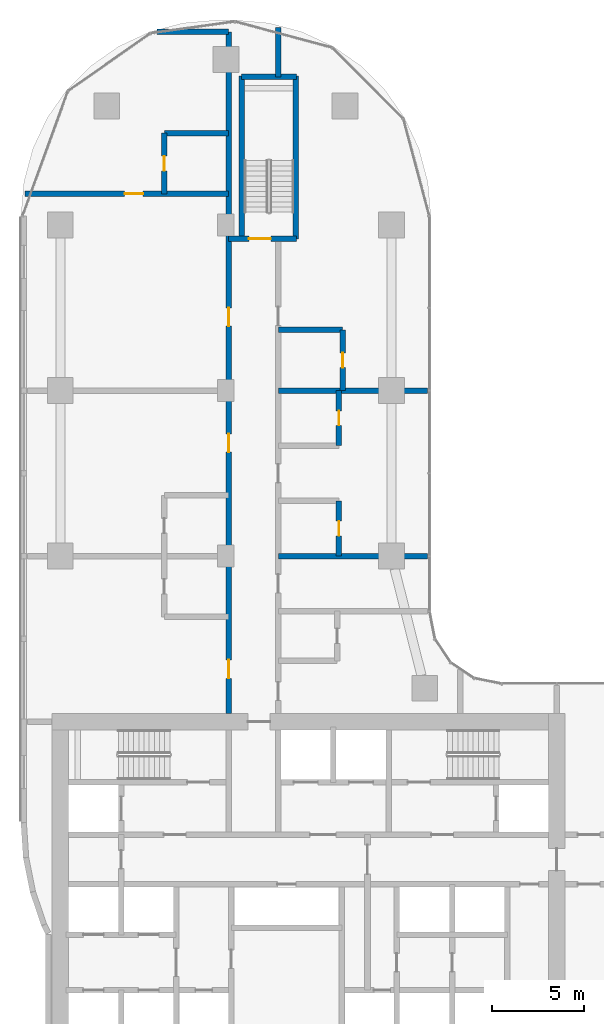
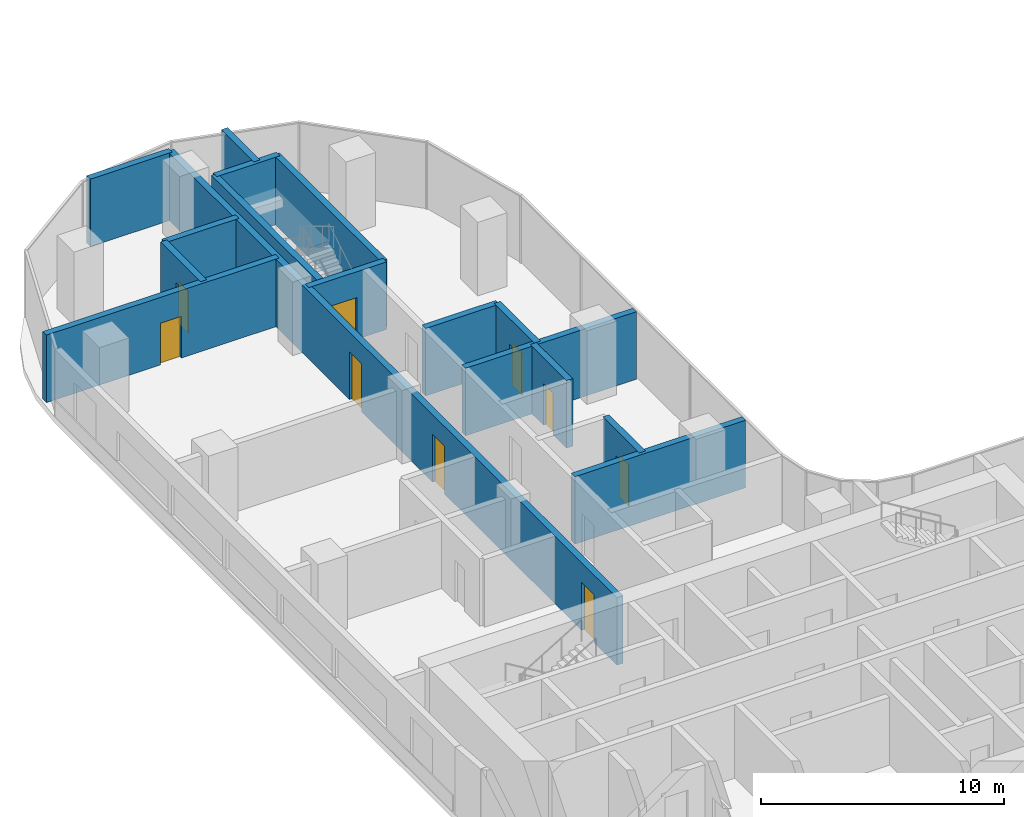
# One storey, part 20 of 32: 16 walls, 9 doors, 9 openings.
"""IFC4 building model written with IfcOpenShell, lengths in metres."""

from ifc_helpers import new_model, si_unit, direction, frame, frame_2d, origin, place, context, subcontext, project, spatial, rectangle, extrude, material, layer, layer_set, type_object, element, fill, save


model = new_model("IFC4")

# Units and contexts
model_context = context("Model", 3, precision=1e-05, world=origin(), true_north=direction((0.0, 1.0)))
body_context = subcontext(model_context, "Body", "Model", "MODEL_VIEW")
ifc_project = project(units=[si_unit("LENGTHUNIT", "METRE"), si_unit("AREAUNIT", "SQUARE_METRE"), si_unit("VOLUMEUNIT", "CUBIC_METRE"), si_unit("PLANEANGLEUNIT", "RADIAN"), si_unit("MASSUNIT", "GRAM", prefix="KILO")], contexts=[model_context])

# Site, building, storey
site_placement = place(None, origin())
site = spatial("IfcSite", under=ifc_project, at=site_placement, CompositionType="ELEMENT")
building_placement = place(site_placement, origin())
building = spatial("IfcBuilding", under=site, at=building_placement, Name="Ogive Portal Towers", CompositionType="ELEMENT")
storey_placement = place(building_placement, frame((0.0, 0.0, 59.39990234375)))
storey = spatial("IfcBuildingStorey", under=building, at=storey_placement, Name="L13", CompositionType="ELEMENT", Elevation=59.39990234375)

# Wall, opening, door
ifc_material_1 = material(Name="Concrete C50/60", Category="concrete")
ifc_layer_1 = layer(ifc_material_1, 0.300048828125)
ifc_layer_set_1 = layer_set([ifc_layer_1], Name="STAIR WALL 300 C50")
wall_type_1 = type_object("IfcWallType", Name="STAIR WALL 300 C50", PredefinedType="SHEAR", material=ifc_layer_set_1)
wall_1_placement = place(storey_placement, frame((40.64990234375, 65.75, 0.0), z_axis=(0.0, 0.0, 1.0), x_axis=(1.0, 0.0, 0.0)))
wall_1 = element("IfcWall", 1, at=wall_1_placement, inside=storey, type_object=wall_type_1, Name="Stair wall ST-A3 L13", PredefinedType="SHEAR", context=body_context, shape_type="SweptSolid", body=[
    extrude(rectangle(XDim=3.7001953125, YDim=0.300048828125, at=frame_2d((1.85009765625, 0.0))), origin(), (0.0, 0.0, 1.0), 3.400146484375),
])
opening_1_placement = place(wall_1_placement, frame((1.10009765625, 0.0, 0.0)))
opening_1 = element("IfcOpeningElement", 2, at=opening_1_placement, cuts=wall_1, Name="Opening D03-062", PredefinedType="OPENING", context=body_context, shape_type="SweptSolid", body=[
    extrude(rectangle(XDim=1.199951171875, YDim=2.10009765625, at=frame_2d((0.60009765625, 1.050048828125))), frame((0.0, 0.16015625, 0.0), z_axis=(0.0, -1.0, 0.0), x_axis=(1.0, 0.0, 0.0)), (0.0, 0.0, 1.0), 0.320068359375),
])
ifc_material_2 = material(Name="Steel fire door", Category="steel")
door_type_1 = type_object("IfcDoorType", Name="DT-STAIR-1200x2100-FD90S", OperationType="SINGLE_SWING_LEFT", PredefinedType="DOOR", material=ifc_material_2)
door_1_placement = place(opening_1_placement, origin())
door_1 = element("IfcDoor", 3, at=door_1_placement, inside=storey, type_object=door_type_1, Name="Door D03-062", OperationType="SINGLE_SWING_RIGHT", OverallHeight=2.10009765625, OverallWidth=1.199951171875, PredefinedType="DOOR", context=body_context, shape_type="SweptSolid", body=[
    extrude(rectangle(XDim=1.199951171875, YDim=2.10009765625, at=frame_2d((0.60009765625, 1.050048828125))), frame((0.0, 0.02490234375, 0.0), z_axis=(0.0, -1.0, 0.0), x_axis=(1.0, 0.0, 0.0)), (0.0, 0.0, 1.0), 0.050048828125),
])
fill(opening_1, door_1)

# Walls
wall_2_placement = place(storey_placement, frame((41.35009765625, 74.550048828125, 0.0), z_axis=(0.0, 0.0, 1.0), x_axis=(1.0, 0.0, 0.0)))
element("IfcWall", 4, at=wall_2_placement, inside=storey, type_object=wall_type_1, Name="Stair wall ST-A3 L13", PredefinedType="SHEAR", context=body_context, shape_type="SweptSolid", body=[
    extrude(rectangle(XDim=3.0, YDim=0.300048828125, at=frame_2d((1.5, 0.0))), origin(), (0.0, 0.0, 1.0), 3.400146484375),
])
for number, where, z_axis, x_axis, name in (
    (5, (41.35009765625, 65.75, 0.0), (0.0, 0.0, 1.0), (0.0, 1.0, 0.0), "Stair wall ST-A3 L13"),
    (6, (44.300048828125, 65.75, 0.0), (0.0, 0.0, 1.0), (0.0, 1.0, 0.0), "Stair wall ST-A3 L13"),
):
    element("IfcWall", number, at=place(storey_placement, frame(where, z_axis=z_axis, x_axis=x_axis)), inside=storey, type_object=wall_type_1, Name=name, PredefinedType="SHEAR", context=body_context, shape_type="SweptSolid", body=[
        extrude(rectangle(XDim=8.85009765625, YDim=0.300048828125, at=frame_2d((4.425048828125, 0.0))), origin(), (0.0, 0.0, 1.0), 3.400146484375),
    ])
ifc_material_3 = material(Name="Gypsum board partition on steel studs", Category="steel")
ifc_layer_2 = layer(ifc_material_3, 0.300048828125)
ifc_layer_set_2 = layer_set([ifc_layer_2], Name="WT-PART-300-EI 60")
wall_type_2 = type_object("IfcWallType", Name="WT-PART-300-EI 60", PredefinedType="PARTITIONING", material=ifc_layer_set_2)
for number, where, z_axis, x_axis, name in (
    (7, (43.35009765625, 48.5, 0.0), (0.0, 0.0, 1.0), (1.0, 0.0, 0.0), "Wall L13:w019"),
    (8, (43.35009765625, 57.5, 0.0), (0.0, 0.0, 1.0), (1.0, 0.0, 0.0), "Wall L13:w024"),
):
    element("IfcWall", number, at=place(storey_placement, frame(where, z_axis=z_axis, x_axis=x_axis)), inside=storey, type_object=wall_type_2, Name=name, PredefinedType="PARTITIONING", context=body_context, shape_type="SweptSolid", body=[
        extrude(rectangle(XDim=8.125, YDim=0.300048828125, at=frame_2d((4.0625, 0.0))), origin(), (0.0, 0.0, 1.0), 3.400146484375),
    ])
wall_3_placement = place(storey_placement, frame((43.35009765625, 60.800048828125, 0.0), z_axis=(0.0, 0.0, 1.0), x_axis=(1.0, 0.0, 0.0)))
element("IfcWall", 9, at=wall_3_placement, inside=storey, type_object=wall_type_2, Name="Wall L13:w025", PredefinedType="PARTITIONING", context=body_context, shape_type="SweptSolid", body=[
    extrude(rectangle(XDim=3.5, YDim=0.300048828125, at=frame_2d((1.75, 0.0))), origin(), (0.0, 0.0, 1.0), 3.400146484375),
])

# Wall, opening, door
wall_4_placement = place(storey_placement, frame((29.570068359375, 68.199951171875, 0.0), z_axis=(0.0, 0.0, 1.0), x_axis=(1.0, 0.0, 0.0)))
wall_4 = element("IfcWall", 10, at=wall_4_placement, inside=storey, type_object=wall_type_2, Name="Wall L13:w027", PredefinedType="PARTITIONING", context=body_context, shape_type="SweptSolid", body=[
    extrude(rectangle(XDim=11.079833984375, YDim=0.300048828125, at=frame_2d((5.5400390625, 0.0))), origin(), (0.0, 0.0, 1.0), 3.400146484375),
])
opening_2_placement = place(wall_4_placement, frame((5.429931640625, 0.0, 0.0)))
opening_2 = element("IfcOpeningElement", 11, at=opening_2_placement, cuts=wall_4, Name="Opening D03-056", PredefinedType="OPENING", context=body_context, shape_type="SweptSolid", body=[
    extrude(rectangle(XDim=1.0, YDim=2.10009765625, at=frame_2d((0.5, 1.050048828125))), frame((0.0, 0.16015625, 0.0), z_axis=(0.0, -1.0, 0.0), x_axis=(1.0, 0.0, 0.0)), (0.0, 0.0, 1.0), 0.320068359375),
])
door_type_2 = type_object("IfcDoorType", Name="DT-ENTRY-1000x2100-FD60S", OperationType="SINGLE_SWING_LEFT", PredefinedType="DOOR", material=ifc_material_2)
door_2_placement = place(opening_2_placement, origin())
door_2 = element("IfcDoor", 12, at=door_2_placement, inside=storey, type_object=door_type_2, Name="Door D03-056", OperationType="SINGLE_SWING_LEFT", OverallHeight=2.10009765625, OverallWidth=1.0, PredefinedType="DOOR", context=body_context, shape_type="SweptSolid", body=[
    extrude(rectangle(XDim=1.0, YDim=2.10009765625, at=frame_2d((0.5, 1.050048828125))), frame((0.0, 0.02490234375, 0.0), z_axis=(0.0, -1.0, 0.0), x_axis=(1.0, 0.0, 0.0)), (0.0, 0.0, 1.0), 0.050048828125),
])
fill(opening_2, door_2)

# Walls
wall_5_placement = place(storey_placement, frame((37.14990234375, 71.5, 0.0), z_axis=(0.0, 0.0, 1.0), x_axis=(1.0, 0.0, 0.0)))
element("IfcWall", 13, at=wall_5_placement, inside=storey, type_object=wall_type_2, Name="Wall L13:w028", PredefinedType="PARTITIONING", context=body_context, shape_type="SweptSolid", body=[
    extrude(rectangle(XDim=3.5, YDim=0.300048828125, at=frame_2d((1.75, 0.0))), origin(), (0.0, 0.0, 1.0), 3.400146484375),
])
wall_6_placement = place(storey_placement, frame((36.743896484375, 77.0, 0.0), z_axis=(0.0, 0.0, 1.0), x_axis=(1.0, 0.0, 0.0)))
element("IfcWall", 14, at=wall_6_placement, inside=storey, type_object=wall_type_2, Name="Wall L13:w030", PredefinedType="PARTITIONING", context=body_context, shape_type="SweptSolid", body=[
    extrude(rectangle(XDim=3.906005859375, YDim=0.300048828125, at=frame_2d((1.953125, 0.0))), origin(), (0.0, 0.0, 1.0), 3.400146484375),
])

# Wall, opening, door
wall_7_placement = place(storey_placement, frame((37.14990234375, 68.199951171875, 0.0), z_axis=(0.0, 0.0, 1.0), x_axis=(0.0, 1.0, 0.0)))
wall_7 = element("IfcWall", 15, at=wall_7_placement, inside=storey, type_object=wall_type_2, Name="Wall L13:w032", PredefinedType="PARTITIONING", context=body_context, shape_type="SweptSolid", body=[
    extrude(rectangle(XDim=3.300048828125, YDim=0.300048828125, at=frame_2d((1.64990234375, 0.0))), origin(), (0.0, 0.0, 1.0), 3.400146484375),
])
opening_3_placement = place(wall_7_placement, frame((1.25, 0.0, 0.0)))
opening_3 = element("IfcOpeningElement", 16, at=opening_3_placement, cuts=wall_7, Name="Opening D03-057", PredefinedType="OPENING", context=body_context, shape_type="SweptSolid", body=[
    extrude(rectangle(XDim=0.800048828125, YDim=2.10009765625, at=frame_2d((0.39990234375, 1.050048828125))), frame((0.0, 0.16015625, 0.0), z_axis=(0.0, -1.0, 0.0), x_axis=(1.0, 0.0, 0.0)), (0.0, 0.0, 1.0), 0.320068359375),
])
door_type_3 = type_object("IfcDoorType", Name="DT-BATH-800x2100-FD60S", OperationType="SINGLE_SWING_LEFT", PredefinedType="DOOR", material=ifc_material_2)
door_3_placement = place(opening_3_placement, origin())
door_3 = element("IfcDoor", 17, at=door_3_placement, inside=storey, type_object=door_type_3, Name="Door D03-057", OperationType="SINGLE_SWING_LEFT", OverallHeight=2.10009765625, OverallWidth=0.800048828125, PredefinedType="DOOR", context=body_context, shape_type="SweptSolid", body=[
    extrude(rectangle(XDim=0.800048828125, YDim=2.10009765625, at=frame_2d((0.39990234375, 1.050048828125))), frame((0.0, 0.02490234375, 0.0), z_axis=(0.0, -1.0, 0.0), x_axis=(1.0, 0.0, 0.0)), (0.0, 0.0, 1.0), 0.050048828125),
])
fill(opening_3, door_3)

# Wall, openings, doors
wall_8_placement = place(storey_placement, frame((40.64990234375, 39.949951171875, 0.0), z_axis=(0.0, 0.0, 1.0), x_axis=(0.0, 1.0, 0.0)))
wall_8 = element("IfcWall", 18, at=wall_8_placement, inside=storey, type_object=wall_type_2, Name="Wall L13:w033", PredefinedType="PARTITIONING", context=body_context, shape_type="SweptSolid", body=[
    extrude(rectangle(XDim=37.050048828125, YDim=0.300048828125, at=frame_2d((18.52490234375, 0.0))), origin(), (0.0, 0.0, 1.0), 3.400146484375),
])
opening_4_placement = place(wall_8_placement, frame((1.89990234375, 0.0, 0.0)))
opening_4 = element("IfcOpeningElement", 19, at=opening_4_placement, cuts=wall_8, Name="Opening D03-047", PredefinedType="OPENING", context=body_context, shape_type="SweptSolid", body=[
    extrude(rectangle(XDim=1.0, YDim=2.39990234375, at=frame_2d((0.5, 1.199951171875))), frame((0.0, 0.16015625, 0.0), z_axis=(0.0, -1.0, 0.0), x_axis=(1.0, 0.0, 0.0)), (0.0, 0.0, 1.0), 0.320068359375),
])
opening_5_placement = place(wall_8_placement, frame((14.199951171875, 0.0, 0.0)))
opening_5 = element("IfcOpeningElement", 20, at=opening_5_placement, cuts=wall_8, Name="Opening D03-052", PredefinedType="OPENING", context=body_context, shape_type="SweptSolid", body=[
    extrude(rectangle(XDim=1.0, YDim=2.39990234375, at=frame_2d((0.5, 1.199951171875))), frame((0.0, 0.16015625, 0.0), z_axis=(0.0, -1.0, 0.0), x_axis=(1.0, 0.0, 0.0)), (0.0, 0.0, 1.0), 0.320068359375),
])
opening_6_placement = place(wall_8_placement, frame((21.050048828125, 0.0, 0.0)))
opening_6 = element("IfcOpeningElement", 21, at=opening_6_placement, cuts=wall_8, Name="Opening D03-055", PredefinedType="OPENING", context=body_context, shape_type="SweptSolid", body=[
    extrude(rectangle(XDim=1.0, YDim=2.39990234375, at=frame_2d((0.5, 1.199951171875))), frame((0.0, 0.16015625, 0.0), z_axis=(0.0, -1.0, 0.0), x_axis=(1.0, 0.0, 0.0)), (0.0, 0.0, 1.0), 0.320068359375),
])
door_type_4 = type_object("IfcDoorType", Name="DT-ENTRY-1000x2400-FD60S", OperationType="SINGLE_SWING_LEFT", PredefinedType="DOOR", material=ifc_material_2)
door_4_placement = place(opening_4_placement, origin())
door_4 = element("IfcDoor", 22, at=door_4_placement, inside=storey, type_object=door_type_4, Name="Door D03-047", OperationType="SINGLE_SWING_RIGHT", OverallHeight=2.39990234375, OverallWidth=1.0, PredefinedType="DOOR", context=body_context, shape_type="SweptSolid", body=[
    extrude(rectangle(XDim=1.0, YDim=2.39990234375, at=frame_2d((0.5, 1.199951171875))), frame((0.0, 0.02490234375, 0.0), z_axis=(0.0, -1.0, 0.0), x_axis=(1.0, 0.0, 0.0)), (0.0, 0.0, 1.0), 0.050048828125),
])
fill(opening_4, door_4)
door_5_placement = place(opening_5_placement, origin())
door_5 = element("IfcDoor", 23, at=door_5_placement, inside=storey, type_object=door_type_4, Name="Door D03-052", OperationType="SINGLE_SWING_LEFT", OverallHeight=2.39990234375, OverallWidth=1.0, PredefinedType="DOOR", context=body_context, shape_type="SweptSolid", body=[
    extrude(rectangle(XDim=1.0, YDim=2.39990234375, at=frame_2d((0.5, 1.199951171875))), frame((0.0, 0.02490234375, 0.0), z_axis=(0.0, -1.0, 0.0), x_axis=(1.0, 0.0, 0.0)), (0.0, 0.0, 1.0), 0.050048828125),
])
fill(opening_5, door_5)
door_6_placement = place(opening_6_placement, origin())
door_6 = element("IfcDoor", 24, at=door_6_placement, inside=storey, type_object=door_type_4, Name="Door D03-055", OperationType="SINGLE_SWING_RIGHT", OverallHeight=2.39990234375, OverallWidth=1.0, PredefinedType="DOOR", context=body_context, shape_type="SweptSolid", body=[
    extrude(rectangle(XDim=1.0, YDim=2.39990234375, at=frame_2d((0.5, 1.199951171875))), frame((0.0, 0.02490234375, 0.0), z_axis=(0.0, -1.0, 0.0), x_axis=(1.0, 0.0, 0.0)), (0.0, 0.0, 1.0), 0.050048828125),
])
fill(opening_6, door_6)

# Wall, opening, door
wall_9_placement = place(storey_placement, frame((46.64990234375, 48.5, 0.0), z_axis=(0.0, 0.0, 1.0), x_axis=(0.0, 1.0, 0.0)))
wall_9 = element("IfcWall", 25, at=wall_9_placement, inside=storey, type_object=wall_type_2, Name="Wall L13:w039", PredefinedType="PARTITIONING", context=body_context, shape_type="SweptSolid", body=[
    extrude(rectangle(XDim=3.0, YDim=0.300048828125, at=frame_2d((1.5, 0.0))), origin(), (0.0, 0.0, 1.0), 3.400146484375),
])
opening_7_placement = place(wall_9_placement, frame((1.10009765625, 0.0, 0.0)))
opening_7 = element("IfcOpeningElement", 26, at=opening_7_placement, cuts=wall_9, Name="Opening D03-048", PredefinedType="OPENING", context=body_context, shape_type="SweptSolid", body=[
    extrude(rectangle(XDim=0.800048828125, YDim=2.10009765625, at=frame_2d((0.39990234375, 1.050048828125))), frame((0.0, 0.16015625, 0.0), z_axis=(0.0, -1.0, 0.0), x_axis=(1.0, 0.0, 0.0)), (0.0, 0.0, 1.0), 0.320068359375),
])
door_7_placement = place(opening_7_placement, origin())
door_7 = element("IfcDoor", 27, at=door_7_placement, inside=storey, type_object=door_type_3, Name="Door D03-048", OperationType="SINGLE_SWING_RIGHT", OverallHeight=2.10009765625, OverallWidth=0.800048828125, PredefinedType="DOOR", context=body_context, shape_type="SweptSolid", body=[
    extrude(rectangle(XDim=0.800048828125, YDim=2.10009765625, at=frame_2d((0.39990234375, 1.050048828125))), frame((0.0, 0.02490234375, 0.0), z_axis=(0.0, -1.0, 0.0), x_axis=(1.0, 0.0, 0.0)), (0.0, 0.0, 1.0), 0.050048828125),
])
fill(opening_7, door_7)

wall_10_placement = place(storey_placement, frame((46.64990234375, 54.5, 0.0), z_axis=(0.0, 0.0, 1.0), x_axis=(0.0, 1.0, 0.0)))
wall_10 = element("IfcWall", 28, at=wall_10_placement, inside=storey, type_object=wall_type_2, Name="Wall L13:w040", PredefinedType="PARTITIONING", context=body_context, shape_type="SweptSolid", body=[
    extrude(rectangle(XDim=3.0, YDim=0.300048828125, at=frame_2d((1.5, 0.0))), origin(), (0.0, 0.0, 1.0), 3.400146484375),
])
opening_8_placement = place(wall_10_placement, frame((1.10009765625, 0.0, 0.0)))
opening_8 = element("IfcOpeningElement", 29, at=opening_8_placement, cuts=wall_10, Name="Opening D03-049", PredefinedType="OPENING", context=body_context, shape_type="SweptSolid", body=[
    extrude(rectangle(XDim=0.800048828125, YDim=2.10009765625, at=frame_2d((0.39990234375, 1.050048828125))), frame((0.0, 0.16015625, 0.0), z_axis=(0.0, -1.0, 0.0), x_axis=(1.0, 0.0, 0.0)), (0.0, 0.0, 1.0), 0.320068359375),
])
door_8_placement = place(opening_8_placement, origin())
door_8 = element("IfcDoor", 30, at=door_8_placement, inside=storey, type_object=door_type_3, Name="Door D03-049", OperationType="SINGLE_SWING_LEFT", OverallHeight=2.10009765625, OverallWidth=0.800048828125, PredefinedType="DOOR", context=body_context, shape_type="SweptSolid", body=[
    extrude(rectangle(XDim=0.800048828125, YDim=2.10009765625, at=frame_2d((0.39990234375, 1.050048828125))), frame((0.0, 0.02490234375, 0.0), z_axis=(0.0, -1.0, 0.0), x_axis=(1.0, 0.0, 0.0)), (0.0, 0.0, 1.0), 0.050048828125),
])
fill(opening_8, door_8)

wall_11_placement = place(storey_placement, frame((46.85009765625, 57.5, 0.0), z_axis=(0.0, 0.0, 1.0), x_axis=(0.0, 1.0, 0.0)))
wall_11 = element("IfcWall", 31, at=wall_11_placement, inside=storey, type_object=wall_type_2, Name="Wall L13:w041", PredefinedType="PARTITIONING", context=body_context, shape_type="SweptSolid", body=[
    extrude(rectangle(XDim=3.300048828125, YDim=0.300048828125, at=frame_2d((1.64990234375, 0.0))), origin(), (0.0, 0.0, 1.0), 3.400146484375),
])
opening_9_placement = place(wall_11_placement, frame((1.25, 0.0, 0.0)))
opening_9 = element("IfcOpeningElement", 32, at=opening_9_placement, cuts=wall_11, Name="Opening D03-053", PredefinedType="OPENING", context=body_context, shape_type="SweptSolid", body=[
    extrude(rectangle(XDim=0.800048828125, YDim=2.10009765625, at=frame_2d((0.39990234375, 1.050048828125))), frame((0.0, 0.16015625, 0.0), z_axis=(0.0, -1.0, 0.0), x_axis=(1.0, 0.0, 0.0)), (0.0, 0.0, 1.0), 0.320068359375),
])
door_9_placement = place(opening_9_placement, origin())
door_9 = element("IfcDoor", 33, at=door_9_placement, inside=storey, type_object=door_type_3, Name="Door D03-053", OperationType="SINGLE_SWING_LEFT", OverallHeight=2.10009765625, OverallWidth=0.800048828125, PredefinedType="DOOR", context=body_context, shape_type="SweptSolid", body=[
    extrude(rectangle(XDim=0.800048828125, YDim=2.10009765625, at=frame_2d((0.39990234375, 1.050048828125))), frame((0.0, 0.02490234375, 0.0), z_axis=(0.0, -1.0, 0.0), x_axis=(1.0, 0.0, 0.0)), (0.0, 0.0, 1.0), 0.050048828125),
])
fill(opening_9, door_9)

# Wall
ifc_material_4 = material(Name="Concrete C40/50", Category="concrete")
ifc_layer_3 = layer(ifc_material_4, 0.300048828125)
ifc_layer_set_3 = layer_set([ifc_layer_3], Name="WT-SHAFT-300")
wall_type_3 = type_object("IfcWallType", Name="WT-SHAFT-300", PredefinedType="SOLIDWALL", material=ifc_layer_set_3)
wall_12_placement = place(storey_placement, frame((43.35009765625, 74.550048828125, 0.0), z_axis=(0.0, 0.0, 1.0), x_axis=(0.0, 1.0, 0.0)))
element("IfcWall", 34, at=wall_12_placement, inside=storey, type_object=wall_type_3, Name="Wall L13:w036", PredefinedType="SOLIDWALL", context=body_context, shape_type="SweptSolid", body=[
    extrude(rectangle(XDim=2.68505859375, YDim=0.300048828125, at=frame_2d((1.342529296875, 0.0))), origin(), (0.0, 0.0, 1.0), 3.400146484375),
])

save(model, "model.ifc")
